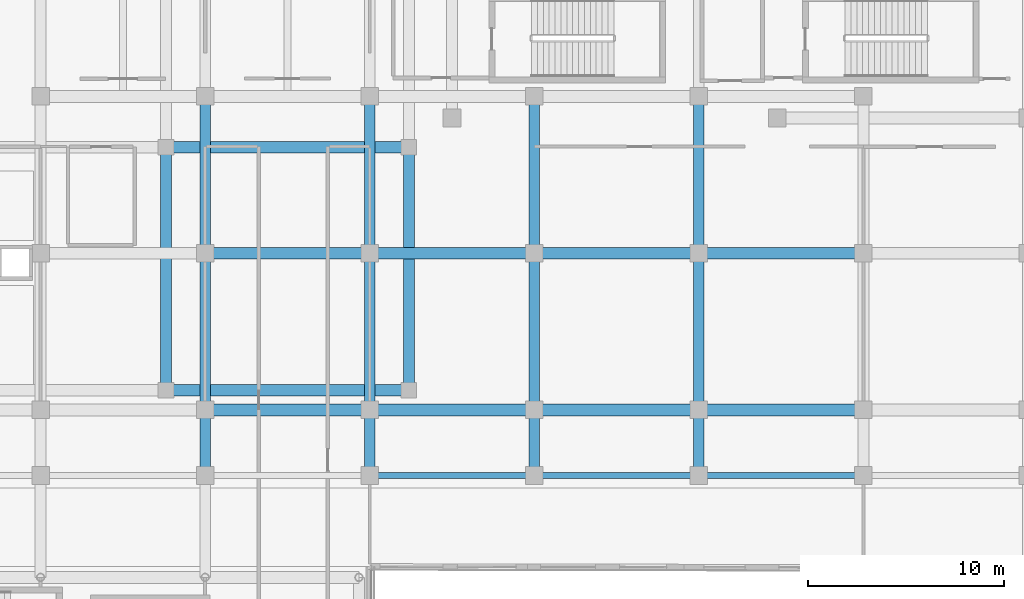
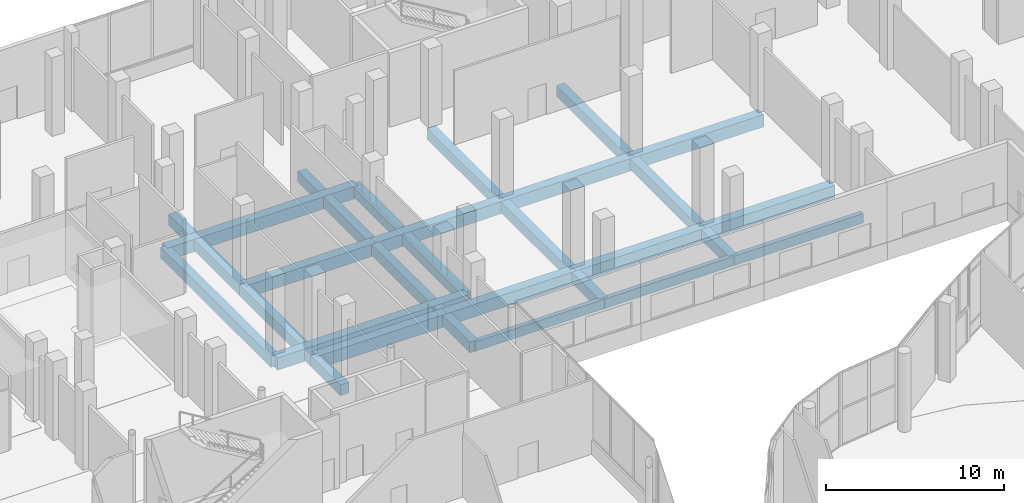
# One storey, part 84 of 158: 27 beams.
"""IFC4 building model written with IfcOpenShell, lengths in metres."""

import ifcopenshell
import ifcopenshell.guid

model = None  # the IFC model being written
_history = None  # IfcOwnerHistory: only IFC2X3 demands one
_inside = {}  # id of a spatial element -> (the spatial element, [elements in it])
_under = {}  # id of a project, library or spatial element -> (it, [spatial elements below it])
_declared = {}  # id of a project -> (the project, [libraries it declares])
_typed = {}  # id of a type object -> (the type object, [elements of that type])
_made_of = {}  # id of a material, layer set ... -> (it, [elements and type objects made of it])


def new_model(schema):
    """Start an empty IFC model of exactly this schema.

    Asked for "IFC4X3", IfcOpenShell would pick the latest addendum, in which some entities
    have other attributes; the version numbers below select the first issue.
    IFC2X3 requires an IfcOwnerHistory on every rooted entity: one is made here for all.
    """
    global model, _history
    if schema == "IFC4X3":
        model = ifcopenshell.file(schema_version=(4, 3, 0, 0))
    else:
        model = ifcopenshell.file(schema=schema)
    _inside.clear()
    _under.clear()
    _declared.clear()
    _typed.clear()
    _made_of.clear()
    _history = None
    if model.schema == "IFC2X3":
        org = make("IfcOrganization", Name="unknown")
        user = make(
            "IfcPersonAndOrganization",
            ThePerson=make("IfcPerson", FamilyName="unknown"),
            TheOrganization=org,
        )
        app = make(
            "IfcApplication",
            ApplicationDeveloper=org,
            Version="unknown",
            ApplicationFullName="unknown",
            ApplicationIdentifier="unknown",
        )
        _history = make(
            "IfcOwnerHistory",
            OwningUser=user,
            OwningApplication=app,
            ChangeAction="ADDED",
            CreationDate=0,
        )
    return model


def make(cls, **values):
    """One entity of the class cls with the attributes given. An attribute that is None is left unset."""
    return model.create_entity(
        cls, **{name: value for name, value in values.items() if value is not None}
    )


def rooted(cls, **values):
    """An entity with a GlobalId (a new one), such as an element, a storey or a relation."""
    return make(cls, GlobalId=ifcopenshell.guid.new(), OwnerHistory=_history, **values)


def si_unit(unit_type, name, prefix=None):
    """IfcSIUnit, for example si_unit("LENGTHUNIT", "METRE", prefix="MILLI")."""
    return make("IfcSIUnit", UnitType=unit_type, Prefix=prefix, Name=name)


def assignment(units):
    """IfcUnitAssignment: the units of a project."""
    return None if units is None else make("IfcUnitAssignment", Units=units)


def point(xyz):
    """IfcCartesianPoint."""
    return None if xyz is None else make("IfcCartesianPoint", Coordinates=xyz)


def direction(xyz):
    """IfcDirection."""
    return None if xyz is None else make("IfcDirection", DirectionRatios=xyz)


def frame(location, z_axis=None, x_axis=None):
    """IfcAxis2Placement3D, a coordinate frame: its origin and axes. An axis left out is left unset."""
    return make(
        "IfcAxis2Placement3D",
        Location=point(location),
        Axis=direction(z_axis),
        RefDirection=direction(x_axis),
    )


def frame_2d(location, x_axis=None):
    """IfcAxis2Placement2D, a coordinate frame in the plane: its origin and x axis."""
    return make(
        "IfcAxis2Placement2D", Location=point(location), RefDirection=direction(x_axis)
    )


def origin():
    """The frame at (0, 0, 0) with its axes left unset."""
    return frame((0.0, 0.0, 0.0))


def origin_2d():
    """The frame at (0, 0) in the plane with its x axis left unset."""
    return frame_2d((0.0, 0.0))


def place(relative_to, where):
    """IfcLocalPlacement: puts the frame where relative to a parent placement (None: the world)."""
    return make(
        "IfcLocalPlacement", PlacementRelTo=relative_to, RelativePlacement=where
    )


def context(
    kind, dimensions, precision=None, world=None, true_north=None, identifier=None
):
    """IfcGeometricRepresentationContext, for example the 3D "Model" context."""
    return make(
        "IfcGeometricRepresentationContext",
        ContextIdentifier=identifier,
        ContextType=kind,
        CoordinateSpaceDimension=dimensions,
        Precision=precision,
        WorldCoordinateSystem=world,
        TrueNorth=true_north,
    )


def subcontext(parent, identifier, kind, view, scale=None):
    """IfcGeometricRepresentationSubContext, for example "Body" below "Model"."""
    return make(
        "IfcGeometricRepresentationSubContext",
        ContextIdentifier=identifier,
        ContextType=kind,
        ParentContext=parent,
        TargetScale=scale,
        TargetView=view,
    )


def project(units=None, contexts=None):
    """IfcProject with its units and contexts."""
    return rooted(
        "IfcProject",
        Name="project",
        RepresentationContexts=contexts,
        UnitsInContext=assignment(units),
    )


def spatial(cls, under=None, at=None, **own):
    """A site, building, storey or space (cls), placed at a placement, below another one or the project."""
    s = rooted(cls, ObjectPlacement=at, **own)
    if under is not None:
        _under.setdefault(under.id(), (under, []))[1].append(s)
    return s


def profile(cls, at=None, kind="AREA", **sizes):
    """A parametric profile (cls). Its sizes go by their IFC names, for example OverallWidth=200.0."""
    return make(cls, ProfileType=kind, Position=at, **sizes)


def rectangle(**sizes):
    """IfcRectangleProfileDef."""
    return profile("IfcRectangleProfileDef", **sizes)


def extrude(swept, where, along, depth):
    """IfcExtrudedAreaSolid: the profile swept, set in the frame where, extruded along a direction by depth."""
    return make(
        "IfcExtrudedAreaSolid",
        SweptArea=swept,
        Position=where,
        ExtrudedDirection=direction(along),
        Depth=depth,
    )


def shape(context_of_items, identifier, shape_type, items):
    """IfcShapeRepresentation: the items that make up one representation, for example the "Body"."""
    return make(
        "IfcShapeRepresentation",
        ContextOfItems=context_of_items,
        RepresentationIdentifier=identifier,
        RepresentationType=shape_type,
        Items=items,
    )


def material(Name=None, Category=None):
    """IfcMaterial."""
    return make("IfcMaterial", Name=Name, Category=Category)


def material_profile(
    of_material, cross_section, Name=None, Category=None, Priority=None
):
    """IfcMaterialProfile: a cross section and its material."""
    return make(
        "IfcMaterialProfile",
        Name=Name,
        Material=of_material,
        Profile=cross_section,
        Priority=Priority,
        Category=Category,
    )


def profile_set(profiles, Name=None, composite=None):
    """IfcMaterialProfileSet."""
    return make(
        "IfcMaterialProfileSet",
        Name=Name,
        MaterialProfiles=profiles,
        CompositeProfile=composite,
    )


def made_of(thing, what):
    """Note that an element or type object is made of a material, layer set ...; save() writes the relation."""
    if what is not None:
        _made_of.setdefault(what.id(), (what, []))[1].append(thing)
    return thing


def type_object(cls, material=None, **own):
    """A type object (cls), such as IfcWallType, which elements share."""
    return made_of(rooted(cls, **own), material)


def element(
    cls,
    number,
    at=None,
    inside=None,
    cuts=None,
    type_object=None,
    material=None,
    context=None,
    identifier="Body",
    shape_type=None,
    held_by="IfcProductDefinitionShape",
    body=None,
    shapes=None,
    **own,
):
    """One element of the class cls, such as IfcWall. Its Tag is "e" and its number.

    at: its placement. inside: the storey or other place that contains it. cuts: it is an
    opening in that element (IfcRelVoidsElement). A single representation is given by context,
    identifier, shape_type and body (its items); several are given by shapes. held_by: the class
    of the entity that holds the representations. save() writes the other relations.
    """
    e = rooted(cls, Tag="e%d" % number, ObjectPlacement=at, **own)
    if body is not None:
        shapes = [shape(context, identifier, shape_type, body)]
    if shapes is not None:
        e.Representation = make(held_by, Representations=shapes)
    if inside is not None:
        _inside.setdefault(inside.id(), (inside, []))[1].append(e)
    if cuts is not None:
        rooted(
            "IfcRelVoidsElement", RelatingBuildingElement=cuts, RelatedOpeningElement=e
        )
    if type_object is not None:
        _typed.setdefault(type_object.id(), (type_object, []))[1].append(e)
    return made_of(e, material)


def aggregate(whole, parts):
    """IfcRelAggregates: a whole, such as a stair, and the parts it consists of."""
    return rooted("IfcRelAggregates", RelatingObject=whole, RelatedObjects=parts)


def save(model, path):
    """Write the relations noted so far, then the file.

    IfcRelAggregates (storeys below a building ...), IfcRelContainedInSpatialStructure (elements
    in a storey), IfcRelDefinesByType, IfcRelAssociatesMaterial and IfcRelDeclares: one each for
    every whole, place, type object, material and project.
    """
    for whole, parts in _under.values():
        aggregate(whole, parts)
    for where, things in _inside.values():
        rooted(
            "IfcRelContainedInSpatialStructure",
            RelatedElements=things,
            RelatingStructure=where,
        )
    for kind, things in _typed.values():
        rooted("IfcRelDefinesByType", RelatedObjects=things, RelatingType=kind)
    for what, things in _made_of.values():
        rooted("IfcRelAssociatesMaterial", RelatedObjects=things, RelatingMaterial=what)
    for by, libraries in _declared.values():
        rooted("IfcRelDeclares", RelatingContext=by, RelatedDefinitions=libraries)
    model.write(path)


model = new_model("IFC4")

# Units and contexts
model_context = context("Model", 3, precision=1e-05, world=origin(), true_north=direction((0.0, 1.0)))
body_context = subcontext(model_context, "Body", "Model", "MODEL_VIEW")
ifc_project = project(units=[si_unit("LENGTHUNIT", "METRE"), si_unit("AREAUNIT", "SQUARE_METRE"), si_unit("VOLUMEUNIT", "CUBIC_METRE"), si_unit("PLANEANGLEUNIT", "RADIAN"), si_unit("MASSUNIT", "GRAM", prefix="KILO")], contexts=[model_context])

# Site, building, storey
site_placement = place(None, origin())
site = spatial("IfcSite", under=ifc_project, at=site_placement, CompositionType="ELEMENT")
building_placement = place(site_placement, origin())
building = spatial("IfcBuilding", under=site, at=building_placement, Name="Selatvlak General Hospital", CompositionType="ELEMENT")
storey_placement = place(building_placement, origin())
storey = spatial("IfcBuildingStorey", under=building, at=storey_placement, Name="L00", CompositionType="ELEMENT", Elevation=0.0)

# Beams
ifc_material = material(Name="Concrete C40/50", Category="concrete")
ifc_material_profile_1 = material_profile(ifc_material, rectangle(XDim=0.60009765625, YDim=0.85009765625, at=origin_2d()), Name="RC-BM 600x850")
ifc_profile_set_1 = profile_set([ifc_material_profile_1], Name="Concrete C40/50")
beam_type_1 = type_object("IfcBeamType", Name="BM-G01", PredefinedType="BEAM", material=ifc_profile_set_1)
beam_1_placement = place(storey_placement, frame((73.199951171875, 92.0, -0.77490234375), z_axis=(1.0, 0.0, 0.0), x_axis=(0.0, 1.0, 0.0)))
element("IfcBeam", 1, at=beam_1_placement, inside=storey, type_object=beam_type_1, Name="Beam BMR-L00-0079", PredefinedType="BEAM", context=body_context, shape_type="SweptSolid", body=[
    extrude(rectangle(XDim=0.60009765625, YDim=0.85009765625, at=origin_2d()), origin(), (0.0, 0.0, 1.0), 8.400146484375),
])
for number, where, z_axis, x_axis, name in (
    (2, (81.60009765625, 92.0, -0.77490234375), (1.0, 0.0, 0.0), (0.0, 1.0, 0.0), "Beam BMR-L00-0080"),
    (3, (90.0, 92.0, -0.77490234375), (1.0, 0.0, 0.0), (0.0, 1.0, 0.0), "Beam BMR-L00-0081"),
):
    element("IfcBeam", number, at=place(storey_placement, frame(where, z_axis=z_axis, x_axis=x_axis)), inside=storey, type_object=beam_type_1, Name=name, PredefinedType="BEAM", context=body_context, shape_type="SweptSolid", body=[
        extrude(rectangle(XDim=0.60009765625, YDim=0.85009765625, at=origin_2d()), origin(), (0.0, 0.0, 1.0), 8.39990234375),
    ])
beam_2_placement = place(storey_placement, frame((98.39990234375, 92.0, -0.77490234375), z_axis=(1.0, 0.0, 0.0), x_axis=(0.0, 1.0, 0.0)))
element("IfcBeam", 4, at=beam_2_placement, inside=storey, type_object=beam_type_1, Name="Beam BMR-L00-0082", PredefinedType="BEAM", context=body_context, shape_type="SweptSolid", body=[
    extrude(rectangle(XDim=0.60009765625, YDim=0.85009765625, at=origin_2d()), origin(), (0.0, 0.0, 1.0), 8.400146484375),
])
beam_3_placement = place(storey_placement, frame((71.199951171875, 93.0, -0.77490234375), z_axis=(1.0, 0.0, 0.0), x_axis=(0.0, 1.0, 0.0)))
element("IfcBeam", 5, at=beam_3_placement, inside=storey, type_object=beam_type_1, Name="Beam BMR-L00-0094", PredefinedType="BEAM", context=body_context, shape_type="SweptSolid", body=[
    extrude(rectangle(XDim=0.60009765625, YDim=0.85009765625, at=origin_2d()), origin(), (0.0, 0.0, 1.0), 12.400146484375),
])
beam_4_placement = place(storey_placement, frame((73.199951171875, 100.0, -0.77490234375), z_axis=(1.0, 0.0, 0.0), x_axis=(0.0, 1.0, 0.0)))
element("IfcBeam", 6, at=beam_4_placement, inside=storey, type_object=beam_type_1, Name="Beam BMR-L00-0101", PredefinedType="BEAM", context=body_context, shape_type="SweptSolid", body=[
    extrude(rectangle(XDim=0.60009765625, YDim=0.85009765625, at=origin_2d()), origin(), (0.0, 0.0, 1.0), 8.400146484375),
])
for number, where, z_axis, x_axis, name in (
    (7, (81.60009765625, 100.0, -0.77490234375), (1.0, 0.0, 0.0), (0.0, 1.0, 0.0), "Beam BMR-L00-0102"),
    (8, (90.0, 100.0, -0.77490234375), (1.0, 0.0, 0.0), (0.0, 1.0, 0.0), "Beam BMR-L00-0103"),
):
    element("IfcBeam", number, at=place(storey_placement, frame(where, z_axis=z_axis, x_axis=x_axis)), inside=storey, type_object=beam_type_1, Name=name, PredefinedType="BEAM", context=body_context, shape_type="SweptSolid", body=[
        extrude(rectangle(XDim=0.60009765625, YDim=0.85009765625, at=origin_2d()), origin(), (0.0, 0.0, 1.0), 8.39990234375),
    ])
beam_5_placement = place(storey_placement, frame((98.39990234375, 100.0, -0.77490234375), z_axis=(1.0, 0.0, 0.0), x_axis=(0.0, 1.0, 0.0)))
element("IfcBeam", 9, at=beam_5_placement, inside=storey, type_object=beam_type_1, Name="Beam BMR-L00-0104", PredefinedType="BEAM", context=body_context, shape_type="SweptSolid", body=[
    extrude(rectangle(XDim=0.60009765625, YDim=0.85009765625, at=origin_2d()), origin(), (0.0, 0.0, 1.0), 8.400146484375),
])
beam_6_placement = place(storey_placement, frame((71.199951171875, 105.39990234375, -0.77490234375), z_axis=(1.0, 0.0, 0.0), x_axis=(0.0, 1.0, 0.0)))
element("IfcBeam", 10, at=beam_6_placement, inside=storey, type_object=beam_type_1, Name="Beam BMR-L00-0114", PredefinedType="BEAM", context=body_context, shape_type="SweptSolid", body=[
    extrude(rectangle(XDim=0.60009765625, YDim=0.85009765625, at=origin_2d()), origin(), (0.0, 0.0, 1.0), 12.400146484375),
])
ifc_material_profile_2 = material_profile(ifc_material, rectangle(XDim=0.550048828125, YDim=0.75, at=origin_2d()), Name="RC-BM 550x750")
ifc_profile_set_2 = profile_set([ifc_material_profile_2], Name="Concrete C40/50")
beam_type_2 = type_object("IfcBeamType", Name="BM-G02", PredefinedType="BEAM", material=ifc_profile_set_2)
beam_7_placement = place(storey_placement, frame((71.199951171875, 93.0, -0.72509765625), z_axis=(0.0, 1.0, 0.0), x_axis=(-1.0, 0.0, 0.0)))
element("IfcBeam", 11, at=beam_7_placement, inside=storey, type_object=beam_type_2, Name="Beam BMR-L00-0204", PredefinedType="BEAM", context=body_context, shape_type="SweptSolid", body=[
    extrude(rectangle(XDim=0.550048828125, YDim=0.75, at=origin_2d()), origin(), (0.0, 0.0, 1.0), 12.39990234375),
])
beam_8_placement = place(storey_placement, frame((73.199951171875, 88.64990234375, -0.72509765625), z_axis=(0.0, 1.0, 0.0), x_axis=(-1.0, 0.0, 0.0)))
element("IfcBeam", 12, at=beam_8_placement, inside=storey, type_object=beam_type_2, Name="Beam BMR-L00-0208", PredefinedType="BEAM", context=body_context, shape_type="SweptSolid", body=[
    extrude(rectangle(XDim=0.550048828125, YDim=0.75, at=origin_2d()), origin(), (0.0, 0.0, 1.0), 3.35009765625),
])
for number, where, z_axis, x_axis, name in (
    (13, (73.199951171875, 92.0, -0.72509765625), (0.0, 1.0, 0.0), (-1.0, 0.0, 0.0), "Beam BMR-L00-0209"),
    (14, (73.199951171875, 100.0, -0.72509765625), (0.0, 1.0, 0.0), (-1.0, 0.0, 0.0), "Beam BMR-L00-0210"),
):
    element("IfcBeam", number, at=place(storey_placement, frame(where, z_axis=z_axis, x_axis=x_axis)), inside=storey, type_object=beam_type_2, Name=name, PredefinedType="BEAM", context=body_context, shape_type="SweptSolid", body=[
        extrude(rectangle(XDim=0.550048828125, YDim=0.75, at=origin_2d()), origin(), (0.0, 0.0, 1.0), 8.0),
    ])
beam_9_placement = place(storey_placement, frame((81.60009765625, 88.64990234375, -0.72509765625), z_axis=(0.0, 1.0, 0.0), x_axis=(-1.0, 0.0, 0.0)))
element("IfcBeam", 15, at=beam_9_placement, inside=storey, type_object=beam_type_2, Name="Beam BMR-L00-0215", PredefinedType="BEAM", context=body_context, shape_type="SweptSolid", body=[
    extrude(rectangle(XDim=0.550048828125, YDim=0.75, at=origin_2d()), origin(), (0.0, 0.0, 1.0), 3.35009765625),
])
for number, where, z_axis, x_axis, name in (
    (16, (81.60009765625, 92.0, -0.72509765625), (0.0, 1.0, 0.0), (-1.0, 0.0, 0.0), "Beam BMR-L00-0216"),
    (17, (81.60009765625, 100.0, -0.72509765625), (0.0, 1.0, 0.0), (-1.0, 0.0, 0.0), "Beam BMR-L00-0217"),
):
    element("IfcBeam", number, at=place(storey_placement, frame(where, z_axis=z_axis, x_axis=x_axis)), inside=storey, type_object=beam_type_2, Name=name, PredefinedType="BEAM", context=body_context, shape_type="SweptSolid", body=[
        extrude(rectangle(XDim=0.550048828125, YDim=0.75, at=origin_2d()), origin(), (0.0, 0.0, 1.0), 8.0),
    ])
beam_10_placement = place(storey_placement, frame((83.60009765625, 93.0, -0.72509765625), z_axis=(0.0, 1.0, 0.0), x_axis=(-1.0, 0.0, 0.0)))
element("IfcBeam", 18, at=beam_10_placement, inside=storey, type_object=beam_type_2, Name="Beam BMR-L00-0220", PredefinedType="BEAM", context=body_context, shape_type="SweptSolid", body=[
    extrude(rectangle(XDim=0.550048828125, YDim=0.75, at=origin_2d()), origin(), (0.0, 0.0, 1.0), 12.39990234375),
])
beam_11_placement = place(storey_placement, frame((90.0, 88.64990234375, -0.72509765625), z_axis=(0.0, 1.0, 0.0), x_axis=(-1.0, 0.0, 0.0)))
element("IfcBeam", 19, at=beam_11_placement, inside=storey, type_object=beam_type_2, Name="Beam BMR-L00-0223", PredefinedType="BEAM", context=body_context, shape_type="SweptSolid", body=[
    extrude(rectangle(XDim=0.550048828125, YDim=0.75, at=origin_2d()), origin(), (0.0, 0.0, 1.0), 3.35009765625),
])
for number, where, z_axis, x_axis, name in (
    (20, (90.0, 92.0, -0.72509765625), (0.0, 1.0, 0.0), (-1.0, 0.0, 0.0), "Beam BMR-L00-0224"),
    (21, (90.0, 100.0, -0.72509765625), (0.0, 1.0, 0.0), (-1.0, 0.0, 0.0), "Beam BMR-L00-0225"),
):
    element("IfcBeam", number, at=place(storey_placement, frame(where, z_axis=z_axis, x_axis=x_axis)), inside=storey, type_object=beam_type_2, Name=name, PredefinedType="BEAM", context=body_context, shape_type="SweptSolid", body=[
        extrude(rectangle(XDim=0.550048828125, YDim=0.75, at=origin_2d()), origin(), (0.0, 0.0, 1.0), 8.0),
    ])
beam_12_placement = place(storey_placement, frame((98.39990234375, 88.64990234375, -0.72509765625), z_axis=(0.0, 1.0, 0.0), x_axis=(-1.0, 0.0, 0.0)))
element("IfcBeam", 22, at=beam_12_placement, inside=storey, type_object=beam_type_2, Name="Beam BMR-L00-0227", PredefinedType="BEAM", context=body_context, shape_type="SweptSolid", body=[
    extrude(rectangle(XDim=0.550048828125, YDim=0.75, at=origin_2d()), origin(), (0.0, 0.0, 1.0), 3.35009765625),
])
for number, where, z_axis, x_axis, name in (
    (23, (98.39990234375, 92.0, -0.72509765625), (0.0, 1.0, 0.0), (-1.0, 0.0, 0.0), "Beam BMR-L00-0228"),
    (24, (98.39990234375, 100.0, -0.72509765625), (0.0, 1.0, 0.0), (-1.0, 0.0, 0.0), "Beam BMR-L00-0229"),
):
    element("IfcBeam", number, at=place(storey_placement, frame(where, z_axis=z_axis, x_axis=x_axis)), inside=storey, type_object=beam_type_2, Name=name, PredefinedType="BEAM", context=body_context, shape_type="SweptSolid", body=[
        extrude(rectangle(XDim=0.550048828125, YDim=0.75, at=origin_2d()), origin(), (0.0, 0.0, 1.0), 8.0),
    ])
ifc_material_profile_3 = material_profile(ifc_material, rectangle(XDim=0.300048828125, YDim=0.64990234375, at=origin_2d()), Name="RC-SP 300x650")
ifc_profile_set_3 = profile_set([ifc_material_profile_3], Name="Concrete C40/50")
beam_type_3 = type_object("IfcBeamType", Name="BM-SP1", PredefinedType="SPANDREL", material=ifc_profile_set_3)
for number, where, z_axis, x_axis, name in (
    (25, (81.60009765625, 88.64990234375, -0.675048828125), (1.0, 0.0, 0.0), (0.0, 1.0, 0.0), "Beam BMR-L00-0060"),
    (26, (90.0, 88.64990234375, -0.675048828125), (1.0, 0.0, 0.0), (0.0, 1.0, 0.0), "Beam BMR-L00-0061"),
):
    element("IfcBeam", number, at=place(storey_placement, frame(where, z_axis=z_axis, x_axis=x_axis)), inside=storey, type_object=beam_type_3, Name=name, PredefinedType="SPANDREL", context=body_context, shape_type="SweptSolid", body=[
        extrude(rectangle(XDim=0.300048828125, YDim=0.64990234375, at=origin_2d()), origin(), (0.0, 0.0, 1.0), 8.39990234375),
    ])
beam_13_placement = place(storey_placement, frame((98.39990234375, 88.64990234375, -0.675048828125), z_axis=(1.0, 0.0, 0.0), x_axis=(0.0, 1.0, 0.0)))
element("IfcBeam", 27, at=beam_13_placement, inside=storey, type_object=beam_type_3, Name="Beam BMR-L00-0062", PredefinedType="SPANDREL", context=body_context, shape_type="SweptSolid", body=[
    extrude(rectangle(XDim=0.300048828125, YDim=0.64990234375, at=origin_2d()), origin(), (0.0, 0.0, 1.0), 8.400146484375),
])

save(model, "model.ifc")
